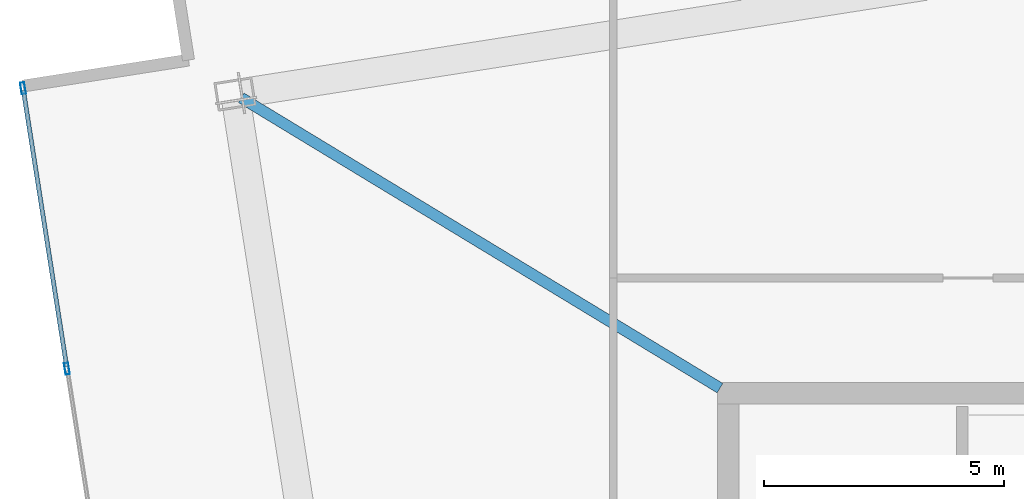
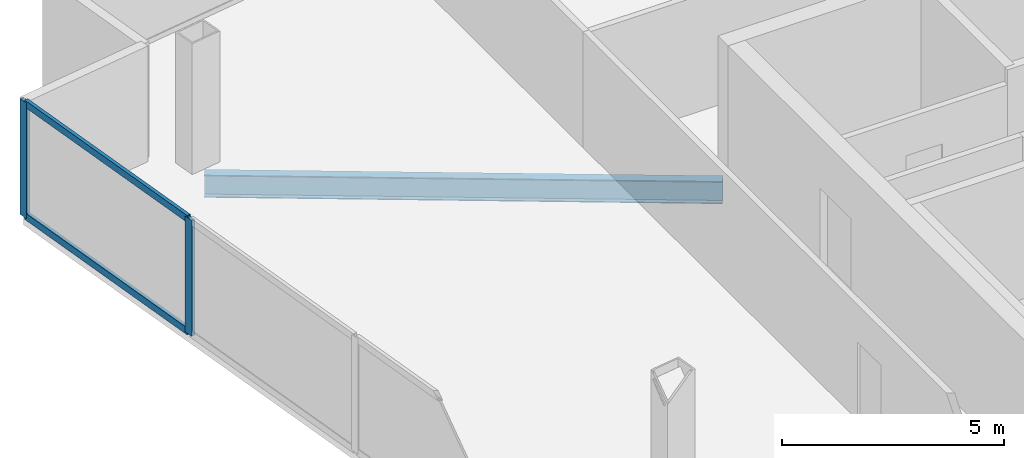
# One storey, part 9 of 17: 4 members, 1 beam, 1 element without a shape of its own.
"""IFC4 building model written with IfcOpenShell, lengths in metres."""

from ifc_helpers import new_model, si_unit, direction, frame, origin, origin_2d, place, context, subcontext, project, spatial, hollow_rectangle, i_section, extrude, material, material_profile, profile_set, type_object, element, aggregate, save


model = new_model("IFC4")

# Units and contexts
model_context = context("Model", 3, precision=1e-05, world=origin(), true_north=direction((0.0, 1.0)))
body_context = subcontext(model_context, "Body", "Model", "MODEL_VIEW")
ifc_project = project(units=[si_unit("LENGTHUNIT", "METRE"), si_unit("AREAUNIT", "SQUARE_METRE"), si_unit("VOLUMEUNIT", "CUBIC_METRE"), si_unit("PLANEANGLEUNIT", "RADIAN"), si_unit("MASSUNIT", "GRAM", prefix="KILO")], contexts=[model_context])

# Site, building, storey
site_placement = place(None, origin())
site = spatial("IfcSite", under=ifc_project, at=site_placement, CompositionType="ELEMENT")
building_placement = place(site_placement, origin())
building = spatial("IfcBuilding", under=site, at=building_placement, Name="Haldenkirk Collegiate Tower", CompositionType="ELEMENT")
storey_placement = place(building_placement, frame((0.0, 0.0, 371.39990234375)))
storey = spatial("IfcBuildingStorey", under=building, at=storey_placement, Name="L94", CompositionType="ELEMENT", Elevation=371.39990234375)

# Beam
ifc_material_1 = material(Name="Steel ASTM A992 Grade 50", Category="steel")
ifc_material_profile_1 = material_profile(ifc_material_1, i_section(OverallWidth=0.22998046875, OverallDepth=0.616943359375, WebThickness=0.01318359375, FlangeThickness=0.022216796875, at=origin_2d()), Name="W24X94")
ifc_profile_set_1 = profile_set([ifc_material_profile_1], Name="Steel ASTM A992 Grade 50")
beam_type = type_object("IfcBeamType", Name="BM-GIRDER-W24X94", PredefinedType="BEAM", material=ifc_profile_set_1)
beam_placement = place(storey_placement, frame((16.843505859375, 40.159912109375, -0.578369140625), z_axis=(0.855035491558, -0.518569482496, 0.0), x_axis=(0.518569482496, 0.855035491558, 0.0)))
element("IfcBeam", 1, at=beam_placement, inside=storey, type_object=beam_type, Name="L94 crown radial floor beam 5", PredefinedType="BEAM", context=body_context, shape_type="SweptSolid", body=[
    extrude(i_section(OverallWidth=0.22998046875, OverallDepth=0.616943359375, WebThickness=0.01318359375, FlangeThickness=0.022216796875, at=origin_2d()), origin(), (0.0, 0.0, 1.0), 11.678466796875),
])

# Curtain wall, members
ifc_material_2 = material(Name="Anodised architectural bronze aluminium", Category="aluminium")
curtain_wall_type = type_object("IfcCurtainWallType", Name="CW-SYS6-CROWN", PredefinedType="USERDEFINED", material=ifc_material_2)
curtain_wall_placement = place(storey_placement, origin())
curtain_wall = element("IfcCurtainWall", 2, at=curtain_wall_placement, inside=storey, type_object=curtain_wall_type, Name="L94 Closed crown ring ceramic-fritted bronze screen curtain wall", ObjectType="UNITISED CURTAIN WALL", PredefinedType="USERDEFINED")
ifc_material_profile_2 = material_profile(ifc_material_2, hollow_rectangle(XDim=0.090087890625, YDim=0.239990234375, WallThickness=0.0048828125, at=origin_2d()), Name="CW-MUL-06")
ifc_profile_set_2 = profile_set([ifc_material_profile_2], Name="Anodised architectural bronze aluminium")
member_type_1 = type_object("IfcMemberType", Name="CW-MUL-06", PredefinedType="MULLION", material=ifc_profile_set_2)
member_1_placement = place(storey_placement, frame((13.208984375, 34.509765625, 0.0), z_axis=(0.0, 0.0, 1.0), x_axis=(-0.987959532462, -0.154712514742, 0.0)))
member_1 = element("IfcMember", 3, at=member_1_placement, type_object=member_type_1, Name="CW-06 mullion 6", PredefinedType="MULLION", context=body_context, shape_type="SweptSolid", body=[
    extrude(hollow_rectangle(XDim=0.090087890625, YDim=0.239990234375, WallThickness=0.0048828125, at=origin_2d()), origin(), (0.0, 0.0, 1.0), 3.18017578125),
])
member_2_placement = place(storey_placement, frame((12.29296875, 40.360107421875, 0.0), z_axis=(0.0, 0.0, 1.0), x_axis=(-0.987959532462, -0.154712514742, 0.0)))
member_2 = element("IfcMember", 4, at=member_2_placement, type_object=member_type_1, Name="CW-06 mullion 7", PredefinedType="MULLION", context=body_context, shape_type="SweptSolid", body=[
    extrude(hollow_rectangle(XDim=0.090087890625, YDim=0.239990234375, WallThickness=0.0048828125, at=origin_2d()), origin(), (0.0, 0.0, 1.0), 3.18017578125),
])
ifc_material_profile_3 = material_profile(ifc_material_2, hollow_rectangle(XDim=0.090087890625, YDim=0.18994140625, WallThickness=0.0048828125, at=origin_2d()), Name="CW-TRN-06")
ifc_profile_set_3 = profile_set([ifc_material_profile_3], Name="Anodised architectural bronze aluminium")
member_type_2 = type_object("IfcMemberType", Name="CW-TRN-06", PredefinedType="USERDEFINED", material=ifc_profile_set_3)
member_3_placement = place(storey_placement, frame((13.2021484375, 34.55419921875, 0.045166015625), z_axis=(-0.154730622105, 0.987956696714, 0.0), x_axis=(-0.987956696714, -0.154730622105, 0.0)))
member_3 = element("IfcMember", 5, at=member_3_placement, type_object=member_type_2, Name="CW-06 transom 6.1", ObjectType="TRANSOM", PredefinedType="USERDEFINED", context=body_context, shape_type="SweptSolid", body=[
    extrude(hollow_rectangle(XDim=0.090087890625, YDim=0.18994140625, WallThickness=0.0048828125, at=origin_2d()), origin(), (0.0, 0.0, 1.0), 5.831787109375),
])
member_4_placement = place(storey_placement, frame((13.2021484375, 34.55419921875, 3.135009765625), z_axis=(-0.154730622105, 0.987956696714, 0.0), x_axis=(-0.987956696714, -0.154730622105, 0.0)))
member_4 = element("IfcMember", 6, at=member_4_placement, type_object=member_type_2, Name="CW-06 transom 6.2", ObjectType="TRANSOM", PredefinedType="USERDEFINED", context=body_context, shape_type="SweptSolid", body=[
    extrude(hollow_rectangle(XDim=0.090087890625, YDim=0.18994140625, WallThickness=0.0048828125, at=origin_2d()), origin(), (0.0, 0.0, 1.0), 5.831787109375),
])
aggregate(curtain_wall, [member_1, member_2, member_3, member_4])

save(model, "model.ifc")
